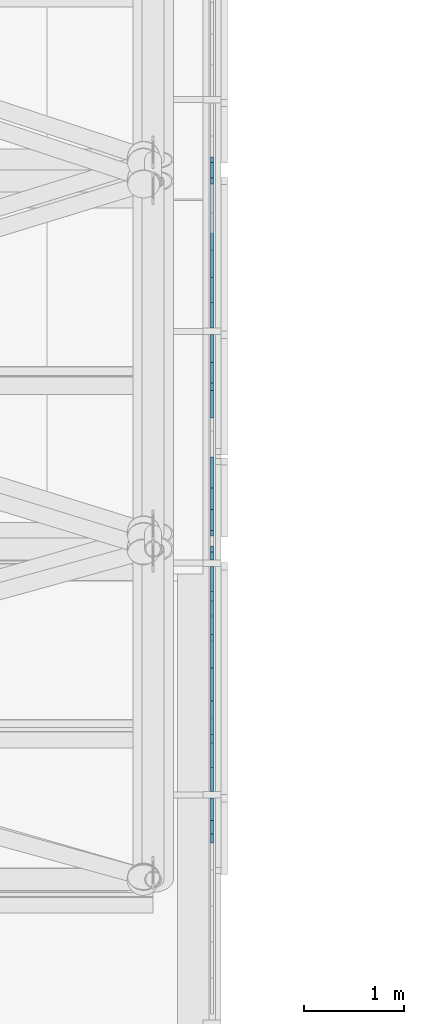
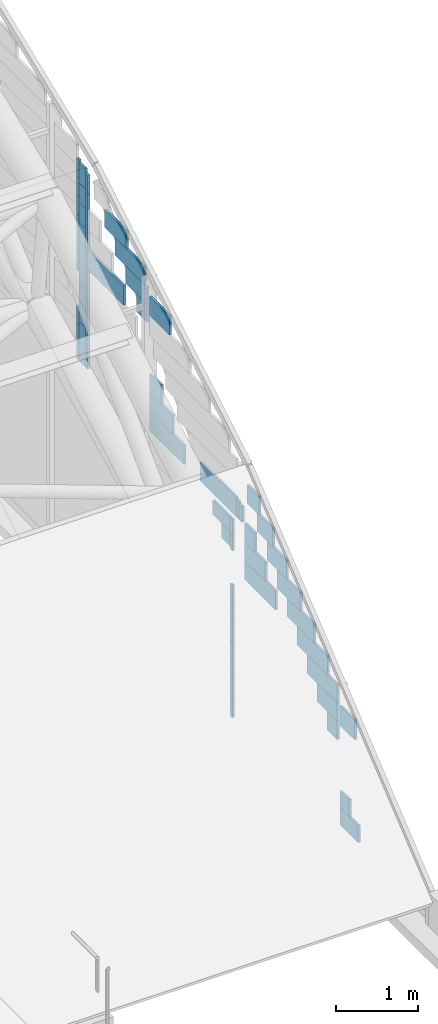
# One storey, part 76 of 110: 67 plates, 1 element without a shape of its own.
"""IFC4 building model written with IfcOpenShell, lengths in metres."""

from ifc_helpers import new_model, si_unit, direction, frame, origin, place, context, subcontext, project, spatial, polyline, outline, extrude, material, layer, layer_set, type_object, element, aggregate, save


model = new_model("IFC4")

# Units and contexts
model_context = context("Model", 3, precision=1e-05, world=origin(), true_north=direction((0.0, 1.0)))
body_context = subcontext(model_context, "Body", "Model", "MODEL_VIEW")
ifc_project = project(units=[si_unit("LENGTHUNIT", "METRE"), si_unit("AREAUNIT", "SQUARE_METRE"), si_unit("VOLUMEUNIT", "CUBIC_METRE"), si_unit("PLANEANGLEUNIT", "RADIAN"), si_unit("MASSUNIT", "GRAM", prefix="KILO")], contexts=[model_context])

# Site, building, storey
site_placement = place(None, origin())
site = spatial("IfcSite", under=ifc_project, at=site_placement, CompositionType="ELEMENT")
building_placement = place(site_placement, origin())
building = spatial("IfcBuilding", under=site, at=building_placement, Name="Windward Yard Aquatics Centre", CompositionType="ELEMENT")
storey_placement = place(building_placement, frame((0.0, 0.0, 22.60009765625)))
storey = spatial("IfcBuildingStorey", under=building, at=storey_placement, Name="L05", CompositionType="ELEMENT", Elevation=22.60009765625)

# Curtain wall, plates
ifc_material_1 = material(Name="Glass and aluminium curtain wall", Category="aluminium")
ifc_layer_1 = layer(ifc_material_1, 0.179931640625)
ifc_layer_set_1 = layer_set([ifc_layer_1], Name="H gable glazing system double glazed 8+16+8")
curtain_wall_type = type_object("IfcCurtainWallType", Name="H gable glazing system double glazed 8+16+8", PredefinedType="NOTDEFINED", material=ifc_layer_set_1)
curtain_wall_placement = place(storey_placement, origin())
curtain_wall = element("IfcCurtainWall", 1, at=curtain_wall_placement, inside=storey, type_object=curtain_wall_type, Name="Gable glazing E", PredefinedType="NOTDEFINED")
ifc_material_2 = material(Name="Low-iron glass", Category="glass")
ifc_layer_2 = layer(ifc_material_2, 0.008, Name="Outer pane")
ifc_material_3 = material(Name="Argon-filled cavity")
ifc_layer_3 = layer(ifc_material_3, 0.016, Name="Cavity")
ifc_layer_4 = layer(ifc_material_2, 0.008, Name="Inner pane")
ifc_layer_set_2 = layer_set([ifc_layer_2, ifc_layer_3, ifc_layer_4], Name="H gable glass low-e double glazed unit 32")
plate_type = type_object("IfcPlateType", Name="H gable glass low-e double glazed unit 32", PredefinedType="CURTAIN_PANEL", material=ifc_layer_set_2)
plate_1_placement = place(storey_placement, frame((144.60595703125, 42.0537109375, 1.5771484375), z_axis=(1.0, 0.0, 0.0), x_axis=(0.0, 1.0, 0.0)))
plate_1 = element("IfcPlate", 2, at=plate_1_placement, type_object=plate_type, Name="Gable panel 1.1f", PredefinedType="CURTAIN_PANEL", context=body_context, shape_type="SweptSolid", body=[
    extrude(outline(polyline([(0.0, 0.0), (0.359863, 0.0), (0.359863, 0.295166), (0.0, 0.295166), (0.0, 0.0)])), origin(), (0.0, 0.0, -1.0), 0.031982421875),
])
plate_2_placement = place(storey_placement, frame((144.60595703125, 41.966064453125, 0.099853515625), z_axis=(1.0, 0.0, 0.0), x_axis=(0.0, 1.0, 0.0)))
plate_2 = element("IfcPlate", 3, at=plate_2_placement, type_object=plate_type, Name="Gable panel 1.1g", PredefinedType="CURTAIN_PANEL", context=body_context, shape_type="SweptSolid", body=[
    extrude(outline(polyline([(0.0, 0.0), (0.44751, 0.0), (0.44751, 0.251221), (0.0, 0.251221), (0.0, 0.0)])), origin(), (0.0, 0.0, -1.0), 0.031982421875),
])
plate_3_placement = place(storey_placement, frame((144.60595703125, 42.189697265625, 0.3515625), z_axis=(1.0, 0.0, 0.0), x_axis=(0.0, 1.0, 0.0)))
plate_3 = element("IfcPlate", 4, at=plate_3_placement, type_object=plate_type, Name="Gable panel 1.1h", PredefinedType="CURTAIN_PANEL", context=body_context, shape_type="SweptSolid", body=[
    extrude(outline(polyline([(0.0, 0.0), (0.223877, 0.0), (0.223877, 0.250977), (0.0, 0.250977), (0.0, 0.0)])), origin(), (0.0, 0.0, -1.0), 0.031982421875),
])
plate_4_placement = place(storey_placement, frame((144.60595703125, 43.985107421875, 2.341064453125), z_axis=(1.0, 0.0, 0.0), x_axis=(0.0, 1.0, 0.0)))
plate_4 = element("IfcPlate", 5, at=plate_4_placement, type_object=plate_type, Name="Gable panel 2.1i", PredefinedType="CURTAIN_PANEL", context=body_context, shape_type="SweptSolid", body=[
    extrude(outline(polyline([(0.0, 0.0), (0.747803, 0.0), (0.747803, 0.279541), (0.0, 0.279541), (0.0, 0.0)])), origin(), (0.0, 0.0, -1.0), 0.031982421875),
])
plate_5_placement = place(storey_placement, frame((144.60595703125, 44.234375, 2.62109375), z_axis=(1.0, 0.0, 0.0), x_axis=(0.0, 1.0, 0.0)))
plate_5 = element("IfcPlate", 6, at=plate_5_placement, type_object=plate_type, Name="Gable panel 2.1j", PredefinedType="CURTAIN_PANEL", context=body_context, shape_type="SweptSolid", body=[
    extrude(outline(polyline([(0.0, 0.0), (0.498535, 0.0), (0.498535, 0.279785), (0.0, 0.279785), (0.0, 0.0)])), origin(), (0.0, 0.0, -1.0), 0.031982421875),
])
plate_6_placement = place(storey_placement, frame((144.60595703125, 44.4833984375, 2.901123046875), z_axis=(1.0, 0.0, 0.0), x_axis=(0.0, 1.0, 0.0)))
plate_6 = element("IfcPlate", 7, at=plate_6_placement, type_object=plate_type, Name="Gable panel 2.1k", PredefinedType="CURTAIN_PANEL", context=body_context, shape_type="SweptSolid", body=[
    extrude(outline(polyline([(0.0, 0.0), (0.249512, 0.0), (0.249512, 0.279785), (0.0, 0.279785), (0.0, 0.0)])), origin(), (0.0, 0.0, -1.0), 0.031982421875),
])
plate_7_placement = place(storey_placement, frame((144.60595703125, 42.478515625, 1.322021484375), z_axis=(1.0, 0.0, 0.0), x_axis=(0.0, 1.0, 0.0)))
plate_7 = element("IfcPlate", 8, at=plate_7_placement, type_object=plate_type, Name="Gable panel 2.1l", PredefinedType="CURTAIN_PANEL", context=body_context, shape_type="SweptSolid", body=[
    extrude(outline(polyline([(0.0, 0.0), (0.244141, 0.0), (0.244141, 0.273438), (0.0, 0.273438), (0.0, 0.0)])), origin(), (0.0, 0.0, -1.0), 0.031982421875),
])
plate_8_placement = place(storey_placement, frame((144.60595703125, 42.478515625, 1.595947265625), z_axis=(1.0, 0.0, 0.0), x_axis=(0.0, 1.0, 0.0)))
plate_8 = element("IfcPlate", 9, at=plate_8_placement, type_object=plate_type, Name="Gable panel 2.1m", PredefinedType="CURTAIN_PANEL", context=body_context, shape_type="SweptSolid", body=[
    extrude(outline(polyline([(0.0, 0.0), (0.487793, 0.0), (0.487793, 0.273682), (0.0, 0.273682), (0.0, 0.0)])), origin(), (0.0, 0.0, -1.0), 0.031982421875),
])
plate_9_placement = place(storey_placement, frame((144.60595703125, 42.478515625, 1.869873046875), z_axis=(1.0, 0.0, 0.0), x_axis=(0.0, 1.0, 0.0)))
plate_9 = element("IfcPlate", 10, at=plate_9_placement, type_object=plate_type, Name="Gable panel 2.1n", PredefinedType="CURTAIN_PANEL", context=body_context, shape_type="SweptSolid", body=[
    extrude(outline(polyline([(0.0, 0.0), (0.731689, 0.0), (0.731689, 0.273682), (0.0, 0.273682), (0.0, 0.0)])), origin(), (0.0, 0.0, -1.0), 0.031982421875),
])
plate_10_placement = place(storey_placement, frame((144.60595703125, 42.7177734375, 2.14404296875), z_axis=(1.0, 0.0, 0.0), x_axis=(0.0, 1.0, 0.0)))
plate_10 = element("IfcPlate", 11, at=plate_10_placement, type_object=plate_type, Name="Gable panel 2.1o", PredefinedType="CURTAIN_PANEL", context=body_context, shape_type="SweptSolid", body=[
    extrude(outline(polyline([(0.0, 0.0), (0.736084, 0.0), (0.736084, 0.273438), (0.0, 0.273438), (0.0, 0.0)])), origin(), (0.0, 0.0, -1.0), 0.031982421875),
])
plate_11_placement = place(storey_placement, frame((144.60595703125, 43.05126953125, 2.41796875), z_axis=(1.0, 0.0, 0.0), x_axis=(0.0, 1.0, 0.0)))
plate_11 = element("IfcPlate", 12, at=plate_11_placement, type_object=plate_type, Name="Gable panel 2.1p", PredefinedType="CURTAIN_PANEL", context=body_context, shape_type="SweptSolid", body=[
    extrude(outline(polyline([(0.0, 0.0), (0.64624, 0.0), (0.64624, 0.273682), (0.0, 0.273682), (0.0, 0.0)])), origin(), (0.0, 0.0, -1.0), 0.031982421875),
])
plate_12_placement = place(storey_placement, frame((144.60595703125, 43.385009765625, 2.69189453125), z_axis=(1.0, 0.0, 0.0), x_axis=(0.0, 1.0, 0.0)))
plate_12 = element("IfcPlate", 13, at=plate_12_placement, type_object=plate_type, Name="Gable panel 2.1q", PredefinedType="CURTAIN_PANEL", context=body_context, shape_type="SweptSolid", body=[
    extrude(outline(polyline([(0.0, 0.0), (0.556396, 0.0), (0.556396, 0.273682), (0.0, 0.273682), (0.0, 0.0)])), origin(), (0.0, 0.0, -1.0), 0.031982421875),
])
plate_13_placement = place(storey_placement, frame((144.60595703125, 43.718505859375, 2.966064453125), z_axis=(1.0, 0.0, 0.0), x_axis=(0.0, 1.0, 0.0)))
plate_13 = element("IfcPlate", 14, at=plate_13_placement, type_object=plate_type, Name="Gable panel 2.1r", PredefinedType="CURTAIN_PANEL", context=body_context, shape_type="SweptSolid", body=[
    extrude(outline(polyline([(0.0, 0.0), (0.466553, 0.0), (0.466553, 0.273438), (0.0, 0.273438), (0.0, 0.0)])), origin(), (0.0, 0.0, -1.0), 0.031982421875),
])
plate_14_placement = place(storey_placement, frame((144.60595703125, 44.05224609375, 3.239990234375), z_axis=(1.0, 0.0, 0.0), x_axis=(0.0, 1.0, 0.0)))
plate_14 = element("IfcPlate", 15, at=plate_14_placement, type_object=plate_type, Name="Gable panel 2.1s", PredefinedType="CURTAIN_PANEL", context=body_context, shape_type="SweptSolid", body=[
    extrude(outline(polyline([(0.0, 0.0), (0.376709, 0.0), (0.376709, 0.273682), (0.0, 0.273682), (0.0, 0.0)])), origin(), (0.0, 0.0, -1.0), 0.031982421875),
])
plate_15_placement = place(storey_placement, frame((144.60595703125, 44.385986328125, 3.513916015625), z_axis=(1.0, 0.0, 0.0), x_axis=(0.0, 1.0, 0.0)))
plate_15 = element("IfcPlate", 16, at=plate_15_placement, type_object=plate_type, Name="Gable panel 2.1t", PredefinedType="CURTAIN_PANEL", context=body_context, shape_type="SweptSolid", body=[
    extrude(outline(polyline([(0.0, 0.0), (0.286621, 0.0), (0.286621, 0.273682), (0.0, 0.273682), (0.0, 0.0)])), origin(), (0.0, 0.0, -1.0), 0.031982421875),
])
plate_16_placement = place(storey_placement, frame((144.60595703125, 45.0361328125, 0.099853515625), z_axis=(1.0, 0.0, 0.0), x_axis=(0.0, 1.0, 0.0)))
plate_16 = element("IfcPlate", 17, at=plate_16_placement, type_object=plate_type, Name="Gable panel 3.1k", PredefinedType="CURTAIN_PANEL", context=body_context, shape_type="SweptSolid", body=[
    extrude(outline(polyline([(0.0, 0.0), (0.056885, 0.0), (0.056885, 0.280762), (0.0, 0.280762), (0.0, 0.0)])), origin(), (0.0, 0.0, -1.0), 0.031982421875),
])
plate_17_placement = place(storey_placement, frame((144.60595703125, 45.0361328125, 0.381103515625), z_axis=(1.0, 0.0, 0.0), x_axis=(0.0, 1.0, 0.0)))
plate_17 = element("IfcPlate", 18, at=plate_17_placement, type_object=plate_type, Name="Gable panel 3.1l", PredefinedType="CURTAIN_PANEL", context=body_context, shape_type="SweptSolid", body=[
    extrude(outline(polyline([(0.0, 0.0), (0.056885, 0.0), (0.056885, 0.280518), (0.0, 0.280518), (0.0, 0.0)])), origin(), (0.0, 0.0, -1.0), 0.031982421875),
])
plate_18_placement = place(storey_placement, frame((144.60595703125, 45.0361328125, 0.662109375), z_axis=(1.0, 0.0, 0.0), x_axis=(0.0, 1.0, 0.0)))
plate_18 = element("IfcPlate", 19, at=plate_18_placement, type_object=plate_type, Name="Gable panel 3.1m", PredefinedType="CURTAIN_PANEL", context=body_context, shape_type="SweptSolid", body=[
    extrude(outline(polyline([(0.0, 0.0), (0.056885, 0.0), (0.056885, 0.280518), (0.0, 0.280518), (0.0, 0.0)])), origin(), (0.0, 0.0, -1.0), 0.031982421875),
])
plate_19_placement = place(storey_placement, frame((144.60595703125, 45.0361328125, 0.943115234375), z_axis=(1.0, 0.0, 0.0), x_axis=(0.0, 1.0, 0.0)))
plate_19 = element("IfcPlate", 20, at=plate_19_placement, type_object=plate_type, Name="Gable panel 3.1n", PredefinedType="CURTAIN_PANEL", context=body_context, shape_type="SweptSolid", body=[
    extrude(outline(polyline([(0.0, 0.0), (0.056885, 0.0), (0.056885, 0.280518), (0.0, 0.280518), (0.0, 0.0)])), origin(), (0.0, 0.0, -1.0), 0.031982421875),
])
plate_20_placement = place(storey_placement, frame((144.60595703125, 45.0361328125, 1.22412109375), z_axis=(1.0, 0.0, 0.0), x_axis=(0.0, 1.0, 0.0)))
plate_20 = element("IfcPlate", 21, at=plate_20_placement, type_object=plate_type, Name="Gable panel 3.1o", PredefinedType="CURTAIN_PANEL", context=body_context, shape_type="SweptSolid", body=[
    extrude(outline(polyline([(0.0, 0.0), (0.056885, 0.0), (0.056885, 0.280518), (0.0, 0.280518), (0.0, 0.0)])), origin(), (0.0, 0.0, -1.0), 0.031982421875),
])
plate_21_placement = place(storey_placement, frame((144.60595703125, 45.0361328125, 1.5048828125), z_axis=(1.0, 0.0, 0.0), x_axis=(0.0, 1.0, 0.0)))
plate_21 = element("IfcPlate", 22, at=plate_21_placement, type_object=plate_type, Name="Gable panel 3.1p", PredefinedType="CURTAIN_PANEL", context=body_context, shape_type="SweptSolid", body=[
    extrude(outline(polyline([(0.0, 0.0), (0.056885, 0.0), (0.056885, 0.280762), (0.0, 0.280762), (0.0, 0.0)])), origin(), (0.0, 0.0, -1.0), 0.031982421875),
])
plate_22_placement = place(storey_placement, frame((144.60595703125, 45.0361328125, 1.785888671875), z_axis=(1.0, 0.0, 0.0), x_axis=(0.0, 1.0, 0.0)))
plate_22 = element("IfcPlate", 23, at=plate_22_placement, type_object=plate_type, Name="Gable panel 3.1q", PredefinedType="CURTAIN_PANEL", context=body_context, shape_type="SweptSolid", body=[
    extrude(outline(polyline([(0.0, 0.0), (0.056885, 0.0), (0.056885, 0.280762), (0.0, 0.280762), (0.0, 0.0)])), origin(), (0.0, 0.0, -1.0), 0.031982421875),
])
plate_23_placement = place(storey_placement, frame((144.60595703125, 45.0361328125, 2.58203125), z_axis=(1.0, 0.0, 0.0), x_axis=(0.0, 1.0, 0.0)))
plate_23 = element("IfcPlate", 24, at=plate_23_placement, type_object=plate_type, Name="Gable panel 3.1s", PredefinedType="CURTAIN_PANEL", context=body_context, shape_type="SweptSolid", body=[
    extrude(outline(polyline([(0.0, 0.0), (0.056885, 0.0), (0.056885, 0.233643), (0.0, 0.233643), (0.0, 0.0)])), origin(), (0.0, 0.0, -1.0), 0.031982421875),
])
plate_24_placement = place(storey_placement, frame((144.60595703125, 45.0361328125, 2.81591796875), z_axis=(1.0, 0.0, 0.0), x_axis=(0.0, 1.0, 0.0)))
plate_24 = element("IfcPlate", 25, at=plate_24_placement, type_object=plate_type, Name="Gable panel 3.1t", PredefinedType="CURTAIN_PANEL", context=body_context, shape_type="SweptSolid", body=[
    extrude(outline(polyline([(0.0, 0.0), (0.056885, 0.0), (0.056885, 0.233887), (0.0, 0.233887), (0.0, 0.0)])), origin(), (0.0, 0.0, -1.0), 0.031982421875),
])
plate_25_placement = place(storey_placement, frame((144.60595703125, 45.093017578125, 2.62060546875), z_axis=(1.0, 0.0, 0.0), x_axis=(0.0, 1.0, 0.0)))
plate_25 = element("IfcPlate", 26, at=plate_25_placement, type_object=plate_type, Name="Gable panel 3.1u", PredefinedType="CURTAIN_PANEL", context=body_context, shape_type="SweptSolid", body=[
    extrude(outline(polyline([(0.0, 0.0), (0.21167, 0.0), (0.21167, 0.214355), (0.0, 0.214355), (0.0, 0.0)])), origin(), (0.0, 0.0, -1.0), 0.031982421875),
])
plate_26_placement = place(storey_placement, frame((144.60595703125, 45.093017578125, 2.83544921875), z_axis=(1.0, 0.0, 0.0), x_axis=(0.0, 1.0, 0.0)))
plate_26 = element("IfcPlate", 27, at=plate_26_placement, type_object=plate_type, Name="Gable panel 3.1v", PredefinedType="CURTAIN_PANEL", context=body_context, shape_type="SweptSolid", body=[
    extrude(outline(polyline([(0.0, 0.0), (0.42334, 0.0), (0.42334, 0.214355), (0.0, 0.214355), (0.0, 0.0)])), origin(), (0.0, 0.0, -1.0), 0.031982421875),
])
plate_27_placement = place(storey_placement, frame((144.60595703125, 44.7978515625, 3.14990234375), z_axis=(1.0, 0.0, 0.0), x_axis=(0.0, 1.0, 0.0)))
plate_27 = element("IfcPlate", 28, at=plate_27_placement, type_object=plate_type, Name="Gable panel 3.2a", PredefinedType="CURTAIN_PANEL", context=body_context, shape_type="SweptSolid", body=[
    extrude(outline(polyline([(0.0, 0.0), (0.079834, 0.0), (0.079834, 0.236816), (0.0, 0.236816), (0.0, 0.0)])), origin(), (0.0, 0.0, -1.0), 0.031982421875),
])
plate_28_placement = place(storey_placement, frame((144.60595703125, 44.877685546875, 3.14990234375), z_axis=(1.0, 0.0, 0.0), x_axis=(0.0, 1.0, 0.0)))
plate_28 = element("IfcPlate", 29, at=plate_28_placement, type_object=plate_type, Name="Gable panel 3.2b", PredefinedType="CURTAIN_PANEL", context=body_context, shape_type="SweptSolid", body=[
    extrude(outline(polyline([(0.0, 0.0), (0.059814, 0.0), (0.059814, 0.258057), (0.0, 0.258057), (0.0, 0.0)])), origin(), (0.0, 0.0, -1.0), 0.031982421875),
])
plate_29_placement = place(storey_placement, frame((144.60595703125, 44.9375, 3.14990234375), z_axis=(1.0, 0.0, 0.0), x_axis=(0.0, 1.0, 0.0)))
plate_29 = element("IfcPlate", 30, at=plate_29_placement, type_object=plate_type, Name="Gable panel 3.2c", PredefinedType="CURTAIN_PANEL", context=body_context, shape_type="SweptSolid", body=[
    extrude(outline(polyline([(0.0, 0.0), (0.888428, 0.0), (0.888428, 0.285645), (0.0, 0.285645), (0.0, 0.0)])), origin(), (0.0, 0.0, -1.0), 0.031982421875),
])
plate_30_placement = place(storey_placement, frame((144.60595703125, 46.569580078125, 4.864990234375), z_axis=(1.0, 0.0, 0.0), x_axis=(0.0, 1.0, 0.0)))
plate_30 = element("IfcPlate", 31, at=plate_30_placement, type_object=plate_type, Name="Gable panel 3.2i", PredefinedType="CURTAIN_PANEL", context=body_context, shape_type="SweptSolid", body=[
    extrude(outline(polyline([(0.0, 0.0), (0.482422, 0.0), (0.482422, 0.2854), (0.0, 0.2854), (0.0, 0.0)])), origin(), (0.0, 0.0, -1.0), 0.031982421875),
])
plate_31_placement = place(storey_placement, frame((144.60595703125, 46.216552734375, 3.14990234375), z_axis=(1.0, 0.0, 0.0), x_axis=(0.0, 1.0, 0.0)))
plate_31 = element("IfcPlate", 32, at=plate_31_placement, type_object=plate_type, Name="Gable panel 3.2j", PredefinedType="CURTAIN_PANEL", context=body_context, shape_type="SweptSolid", body=[
    extrude(outline(polyline([(0.0, 0.0), (0.835449, 0.0), (0.835449, 0.282715), (0.0, 0.282715), (0.0, 0.0)])), origin(), (0.0, 0.0, -1.0), 0.031982421875),
])
plate_32_placement = place(storey_placement, frame((144.60595703125, 46.494873046875, 3.432861328125), z_axis=(1.0, 0.0, 0.0), x_axis=(0.0, 1.0, 0.0)))
plate_32 = element("IfcPlate", 33, at=plate_32_placement, type_object=plate_type, Name="Gable panel 3.2k", PredefinedType="CURTAIN_PANEL", context=body_context, shape_type="SweptSolid", body=[
    extrude(outline(polyline([(0.0, 0.0), (0.557129, 0.0), (0.557129, 0.282471), (0.0, 0.282471), (0.0, 0.0)])), origin(), (0.0, 0.0, -1.0), 0.031982421875),
])
plate_33_placement = place(storey_placement, frame((144.60595703125, 46.7734375, 3.7158203125), z_axis=(1.0, 0.0, 0.0), x_axis=(0.0, 1.0, 0.0)))
plate_33 = element("IfcPlate", 34, at=plate_33_placement, type_object=plate_type, Name="Gable panel 3.2l", PredefinedType="CURTAIN_PANEL", context=body_context, shape_type="SweptSolid", body=[
    extrude(outline(polyline([(0.0, 0.0), (0.278564, 0.0), (0.278564, 0.282227), (0.0, 0.282227), (0.0, 0.0)])), origin(), (0.0, 0.0, -1.0), 0.031982421875),
])
plate_34_placement = place(storey_placement, frame((144.60595703125, 48.7763671875, 3.14990234375), z_axis=(1.0, 0.0, 0.0), x_axis=(0.0, 1.0, 0.0)))
plate_34 = element("IfcPlate", 35, at=plate_34_placement, type_object=plate_type, Name="Gable panel 4.2e", PredefinedType="CURTAIN_PANEL", context=body_context, shape_type="SweptSolid", body=[
    extrude(outline(polyline([(0.0, 0.0), (0.052979, 0.0), (0.052979, 0.261475), (0.0, 0.261475), (0.0, 0.0)])), origin(), (0.0, 0.0, -1.0), 0.031982421875),
])
plate_35_placement = place(storey_placement, frame((144.60595703125, 48.7763671875, 3.41162109375), z_axis=(1.0, 0.0, 0.0), x_axis=(0.0, 1.0, 0.0)))
plate_35 = element("IfcPlate", 36, at=plate_35_placement, type_object=plate_type, Name="Gable panel 4.2f", PredefinedType="CURTAIN_PANEL", context=body_context, shape_type="SweptSolid", body=[
    extrude(outline(polyline([(0.0, 0.0), (0.052979, 0.0), (0.052979, 0.261475), (0.0, 0.261475), (0.0, 0.0)])), origin(), (0.0, 0.0, -1.0), 0.031982421875),
])
plate_36_placement = place(storey_placement, frame((144.60595703125, 48.7763671875, 3.67333984375), z_axis=(1.0, 0.0, 0.0), x_axis=(0.0, 1.0, 0.0)))
plate_36 = element("IfcPlate", 37, at=plate_36_placement, type_object=plate_type, Name="Gable panel 4.2g", PredefinedType="CURTAIN_PANEL", context=body_context, shape_type="SweptSolid", body=[
    extrude(outline(polyline([(0.0, 0.0), (0.052979, 0.0), (0.052979, 0.26123), (0.0, 0.26123), (0.0, 0.0)])), origin(), (0.0, 0.0, -1.0), 0.031982421875),
])
plate_37_placement = place(storey_placement, frame((144.60595703125, 48.618896484375, 3.14990234375), z_axis=(1.0, 0.0, 0.0), x_axis=(0.0, 1.0, 0.0)))
plate_37 = element("IfcPlate", 38, at=plate_37_placement, type_object=plate_type, Name="Gable panel 4.2h", PredefinedType="CURTAIN_PANEL", context=body_context, shape_type="SweptSolid", body=[
    extrude(outline(polyline([(0.0, 0.0), (0.157471, 0.0), (0.157471, 0.294434), (0.0, 0.294434), (0.0, 0.0)])), origin(), (0.0, 0.0, -1.0), 0.031982421875),
])
plate_38_placement = place(storey_placement, frame((144.60595703125, 48.618896484375, 3.444580078125), z_axis=(1.0, 0.0, 0.0), x_axis=(0.0, 1.0, 0.0)))
plate_38 = element("IfcPlate", 39, at=plate_38_placement, type_object=plate_type, Name="Gable panel 4.2i", PredefinedType="CURTAIN_PANEL", context=body_context, shape_type="SweptSolid", body=[
    extrude(outline(polyline([(0.0, 0.0), (0.157471, 0.0), (0.157471, 0.294189), (0.0, 0.294189), (0.0, 0.0)])), origin(), (0.0, 0.0, -1.0), 0.031982421875),
])
plate_39_placement = place(storey_placement, frame((144.60595703125, 48.618896484375, 3.7392578125), z_axis=(1.0, 0.0, 0.0), x_axis=(0.0, 1.0, 0.0)))
plate_39 = element("IfcPlate", 40, at=plate_39_placement, type_object=plate_type, Name="Gable panel 4.2j", PredefinedType="CURTAIN_PANEL", context=body_context, shape_type="SweptSolid", body=[
    extrude(outline(polyline([(0.0, 0.0), (0.157471, 0.0), (0.157471, 0.294189), (0.0, 0.294189), (0.0, 0.0)])), origin(), (0.0, 0.0, -1.0), 0.031982421875),
])
plate_40_placement = place(storey_placement, frame((144.60595703125, 48.618896484375, 4.03369140625), z_axis=(1.0, 0.0, 0.0), x_axis=(0.0, 1.0, 0.0)))
plate_40 = element("IfcPlate", 41, at=plate_40_placement, type_object=plate_type, Name="Gable panel 4.2k", PredefinedType="CURTAIN_PANEL", context=body_context, shape_type="SweptSolid", body=[
    extrude(outline(polyline([(0.0, 0.0), (0.157471, 0.0), (0.157471, 0.294189), (0.0, 0.294189), (0.0, 0.0)])), origin(), (0.0, 0.0, -1.0), 0.031982421875),
])
plate_41_placement = place(storey_placement, frame((144.60595703125, 48.618896484375, 4.328369140625), z_axis=(1.0, 0.0, 0.0), x_axis=(0.0, 1.0, 0.0)))
plate_41 = element("IfcPlate", 42, at=plate_41_placement, type_object=plate_type, Name="Gable panel 4.2l", PredefinedType="CURTAIN_PANEL", context=body_context, shape_type="SweptSolid", body=[
    extrude(outline(polyline([(0.0, 0.0), (0.157471, 0.0), (0.157471, 0.294189), (0.0, 0.294189), (0.0, 0.0)])), origin(), (0.0, 0.0, -1.0), 0.031982421875),
])
plate_42_placement = place(storey_placement, frame((144.60595703125, 48.618896484375, 4.622802734375), z_axis=(1.0, 0.0, 0.0), x_axis=(0.0, 1.0, 0.0)))
plate_42 = element("IfcPlate", 43, at=plate_42_placement, type_object=plate_type, Name="Gable panel 4.2m", PredefinedType="CURTAIN_PANEL", context=body_context, shape_type="SweptSolid", body=[
    extrude(outline(polyline([(0.0, 0.0), (0.157471, 0.0), (0.157471, 0.294189), (0.0, 0.294189), (0.0, 0.0)])), origin(), (0.0, 0.0, -1.0), 0.031982421875),
])
plate_43_placement = place(storey_placement, frame((144.60595703125, 48.618896484375, 4.91748046875), z_axis=(1.0, 0.0, 0.0), x_axis=(0.0, 1.0, 0.0)))
plate_43 = element("IfcPlate", 44, at=plate_43_placement, type_object=plate_type, Name="Gable panel 4.2n", PredefinedType="CURTAIN_PANEL", context=body_context, shape_type="SweptSolid", body=[
    extrude(outline(polyline([(0.0, 0.0), (0.157471, 0.0), (0.157471, 0.294189), (0.0, 0.294189), (0.0, 0.0)])), origin(), (0.0, 0.0, -1.0), 0.031982421875),
])
plate_44_placement = place(storey_placement, frame((144.60595703125, 48.618896484375, 5.212158203125), z_axis=(1.0, 0.0, 0.0), x_axis=(0.0, 1.0, 0.0)))
plate_44 = element("IfcPlate", 45, at=plate_44_placement, type_object=plate_type, Name="Gable panel 4.2o", PredefinedType="CURTAIN_PANEL", context=body_context, shape_type="SweptSolid", body=[
    extrude(outline(polyline([(0.0, 0.0), (0.157471, 0.0), (0.157471, 0.293945), (0.0, 0.293945), (0.0, 0.0)])), origin(), (0.0, 0.0, -1.0), 0.031982421875),
])
plate_45_placement = place(storey_placement, frame((144.60595703125, 48.618896484375, 5.506591796875), z_axis=(1.0, 0.0, 0.0), x_axis=(0.0, 1.0, 0.0)))
plate_45 = element("IfcPlate", 46, at=plate_45_placement, type_object=plate_type, Name="Gable panel 4.2p", PredefinedType="CURTAIN_PANEL", context=body_context, shape_type="SweptSolid", body=[
    extrude(outline(polyline([(0.0, 0.0), (0.157471, 0.0), (0.157471, 0.294189), (0.0, 0.294189), (0.0, 0.0)])), origin(), (0.0, 0.0, -1.0), 0.031982421875),
])
plate_46_placement = place(storey_placement, frame((144.60595703125, 48.618896484375, 5.80126953125), z_axis=(1.0, 0.0, 0.0), x_axis=(0.0, 1.0, 0.0)))
plate_46 = element("IfcPlate", 47, at=plate_46_placement, type_object=plate_type, Name="Gable panel 4.2q", PredefinedType="CURTAIN_PANEL", context=body_context, shape_type="SweptSolid", body=[
    extrude(outline(polyline([(0.0, 0.0), (0.157471, 0.0), (0.157471, 0.293945), (0.0, 0.293945), (0.0, 0.0)])), origin(), (0.0, 0.0, -1.0), 0.031982421875),
])
plate_47_placement = place(storey_placement, frame((144.60595703125, 48.7763671875, 4.4736328125), z_axis=(1.0, 0.0, 0.0), x_axis=(0.0, 1.0, 0.0)))
plate_47 = element("IfcPlate", 48, at=plate_47_placement, type_object=plate_type, Name="Gable panel 4.2r", PredefinedType="CURTAIN_PANEL", context=body_context, shape_type="SweptSolid", body=[
    extrude(outline(polyline([(0.0, 0.0), (0.052979, 0.0), (0.052979, 0.276367), (0.0, 0.276367), (0.0, 0.0)])), origin(), (0.0, 0.0, -1.0), 0.031982421875),
])
plate_48_placement = place(storey_placement, frame((144.60595703125, 48.7763671875, 4.75048828125), z_axis=(1.0, 0.0, 0.0), x_axis=(0.0, 1.0, 0.0)))
plate_48 = element("IfcPlate", 49, at=plate_48_placement, type_object=plate_type, Name="Gable panel 4.2s", PredefinedType="CURTAIN_PANEL", context=body_context, shape_type="SweptSolid", body=[
    extrude(outline(polyline([(0.0, 0.0), (0.052979, 0.0), (0.052979, 0.276367), (0.0, 0.276367), (0.0, 0.0)])), origin(), (0.0, 0.0, -1.0), 0.031982421875),
])
plate_49_placement = place(storey_placement, frame((144.60595703125, 48.7763671875, 5.02734375), z_axis=(1.0, 0.0, 0.0), x_axis=(0.0, 1.0, 0.0)))
plate_49 = element("IfcPlate", 50, at=plate_49_placement, type_object=plate_type, Name="Gable panel 4.2t", PredefinedType="CURTAIN_PANEL", context=body_context, shape_type="SweptSolid", body=[
    extrude(outline(polyline([(0.0, 0.0), (0.052979, 0.0), (0.052979, 0.276367), (0.0, 0.276367), (0.0, 0.0)])), origin(), (0.0, 0.0, -1.0), 0.031982421875),
])
plate_50_placement = place(storey_placement, frame((144.60595703125, 48.7763671875, 5.30419921875), z_axis=(1.0, 0.0, 0.0), x_axis=(0.0, 1.0, 0.0)))
plate_50 = element("IfcPlate", 51, at=plate_50_placement, type_object=plate_type, Name="Gable panel 4.2u", PredefinedType="CURTAIN_PANEL", context=body_context, shape_type="SweptSolid", body=[
    extrude(outline(polyline([(0.0, 0.0), (0.052979, 0.0), (0.052979, 0.276367), (0.0, 0.276367), (0.0, 0.0)])), origin(), (0.0, 0.0, -1.0), 0.031982421875),
])
plate_51_placement = place(storey_placement, frame((144.60595703125, 48.7763671875, 5.5810546875), z_axis=(1.0, 0.0, 0.0), x_axis=(0.0, 1.0, 0.0)))
plate_51 = element("IfcPlate", 52, at=plate_51_placement, type_object=plate_type, Name="Gable panel 4.2v", PredefinedType="CURTAIN_PANEL", context=body_context, shape_type="SweptSolid", body=[
    extrude(outline(polyline([(0.0, 0.0), (0.052979, 0.0), (0.052979, 0.276367), (0.0, 0.276367), (0.0, 0.0)])), origin(), (0.0, 0.0, -1.0), 0.031982421875),
])
plate_52_placement = place(storey_placement, frame((144.60595703125, 48.7763671875, 5.85791015625), z_axis=(1.0, 0.0, 0.0), x_axis=(0.0, 1.0, 0.0)))
plate_52 = element("IfcPlate", 53, at=plate_52_placement, type_object=plate_type, Name="Gable panel 4.2w", PredefinedType="CURTAIN_PANEL", context=body_context, shape_type="SweptSolid", body=[
    extrude(outline(polyline([(0.0, 0.0), (0.052979, 0.0), (0.052979, 0.276367), (0.0, 0.276367), (0.0, 0.0)])), origin(), (0.0, 0.0, -1.0), 0.031982421875),
])
plate_53_placement = place(storey_placement, frame((144.60595703125, 48.561767578125, 3.14990234375), z_axis=(1.0, 0.0, 0.0), x_axis=(0.0, 1.0, 0.0)))
plate_53 = element("IfcPlate", 54, at=plate_53_placement, type_object=plate_type, Name="Gable panel 4.2ad", PredefinedType="CURTAIN_PANEL", context=body_context, shape_type="SweptSolid", body=[
    extrude(outline(polyline([(0.0, 0.0), (0.057129, 0.0), (0.057129, 0.288574), (0.0, 0.288574), (0.0, 0.0)])), origin(), (0.0, 0.0, -1.0), 0.031982421875),
])
plate_54_placement = place(storey_placement, frame((144.60595703125, 48.561767578125, 3.43896484375), z_axis=(1.0, 0.0, 0.0), x_axis=(0.0, 1.0, 0.0)))
plate_54 = element("IfcPlate", 55, at=plate_54_placement, type_object=plate_type, Name="Gable panel 4.2ae", PredefinedType="CURTAIN_PANEL", context=body_context, shape_type="SweptSolid", body=[
    extrude(outline(polyline([(0.0, 0.0), (0.057129, 0.0), (0.057129, 0.28833), (0.0, 0.28833), (0.0, 0.0)])), origin(), (0.0, 0.0, -1.0), 0.031982421875),
])
plate_55_placement = place(storey_placement, frame((144.60595703125, 48.561767578125, 3.727783203125), z_axis=(1.0, 0.0, 0.0), x_axis=(0.0, 1.0, 0.0)))
plate_55 = element("IfcPlate", 56, at=plate_55_placement, type_object=plate_type, Name="Gable panel 4.2af", PredefinedType="CURTAIN_PANEL", context=body_context, shape_type="SweptSolid", body=[
    extrude(outline(polyline([(0.0, 0.0), (0.057129, 0.0), (0.057129, 0.28833), (0.0, 0.28833), (0.0, 0.0)])), origin(), (0.0, 0.0, -1.0), 0.031982421875),
])
plate_56_placement = place(storey_placement, frame((144.60595703125, 48.561767578125, 4.0166015625), z_axis=(1.0, 0.0, 0.0), x_axis=(0.0, 1.0, 0.0)))
plate_56 = element("IfcPlate", 57, at=plate_56_placement, type_object=plate_type, Name="Gable panel 4.2ag", PredefinedType="CURTAIN_PANEL", context=body_context, shape_type="SweptSolid", body=[
    extrude(outline(polyline([(0.0, 0.0), (0.057129, 0.0), (0.057129, 0.28833), (0.0, 0.28833), (0.0, 0.0)])), origin(), (0.0, 0.0, -1.0), 0.031982421875),
])
plate_57_placement = place(storey_placement, frame((144.60595703125, 48.561767578125, 4.305419921875), z_axis=(1.0, 0.0, 0.0), x_axis=(0.0, 1.0, 0.0)))
plate_57 = element("IfcPlate", 58, at=plate_57_placement, type_object=plate_type, Name="Gable panel 4.2ah", PredefinedType="CURTAIN_PANEL", context=body_context, shape_type="SweptSolid", body=[
    extrude(outline(polyline([(0.0, 0.0), (0.057129, 0.0), (0.057129, 0.28833), (0.0, 0.28833), (0.0, 0.0)])), origin(), (0.0, 0.0, -1.0), 0.031982421875),
])
plate_58_placement = place(storey_placement, frame((144.60595703125, 48.561767578125, 4.59423828125), z_axis=(1.0, 0.0, 0.0), x_axis=(0.0, 1.0, 0.0)))
plate_58 = element("IfcPlate", 59, at=plate_58_placement, type_object=plate_type, Name="Gable panel 4.2ai", PredefinedType="CURTAIN_PANEL", context=body_context, shape_type="SweptSolid", body=[
    extrude(outline(polyline([(0.0, 0.0), (0.057129, 0.0), (0.057129, 0.28833), (0.0, 0.28833), (0.0, 0.0)])), origin(), (0.0, 0.0, -1.0), 0.031982421875),
])
plate_59_placement = place(storey_placement, frame((144.60595703125, 48.561767578125, 4.883056640625), z_axis=(1.0, 0.0, 0.0), x_axis=(0.0, 1.0, 0.0)))
plate_59 = element("IfcPlate", 60, at=plate_59_placement, type_object=plate_type, Name="Gable panel 4.2aj", PredefinedType="CURTAIN_PANEL", context=body_context, shape_type="SweptSolid", body=[
    extrude(outline(polyline([(0.0, 0.0), (0.057129, 0.0), (0.057129, 0.28833), (0.0, 0.28833), (0.0, 0.0)])), origin(), (0.0, 0.0, -1.0), 0.031982421875),
])
plate_60_placement = place(storey_placement, frame((144.60595703125, 48.561767578125, 5.171875), z_axis=(1.0, 0.0, 0.0), x_axis=(0.0, 1.0, 0.0)))
plate_60 = element("IfcPlate", 61, at=plate_60_placement, type_object=plate_type, Name="Gable panel 4.2ak", PredefinedType="CURTAIN_PANEL", context=body_context, shape_type="SweptSolid", body=[
    extrude(outline(polyline([(0.0, 0.0), (0.057129, 0.0), (0.057129, 0.28833), (0.0, 0.28833), (0.0, 0.0)])), origin(), (0.0, 0.0, -1.0), 0.031982421875),
])
plate_61_placement = place(storey_placement, frame((144.60595703125, 48.561767578125, 5.460693359375), z_axis=(1.0, 0.0, 0.0), x_axis=(0.0, 1.0, 0.0)))
plate_61 = element("IfcPlate", 62, at=plate_61_placement, type_object=plate_type, Name="Gable panel 4.2al", PredefinedType="CURTAIN_PANEL", context=body_context, shape_type="SweptSolid", body=[
    extrude(outline(polyline([(0.0, 0.0), (0.057129, 0.0), (0.057129, 0.28833), (0.0, 0.28833), (0.0, 0.0)])), origin(), (0.0, 0.0, -1.0), 0.031982421875),
])
plate_62_placement = place(storey_placement, frame((144.60595703125, 48.561767578125, 5.74951171875), z_axis=(1.0, 0.0, 0.0), x_axis=(0.0, 1.0, 0.0)))
plate_62 = element("IfcPlate", 63, at=plate_62_placement, type_object=plate_type, Name="Gable panel 4.2am", PredefinedType="CURTAIN_PANEL", context=body_context, shape_type="SweptSolid", body=[
    extrude(outline(polyline([(0.0, 0.0), (0.057129, 0.0), (0.057129, 0.28833), (0.0, 0.28833), (0.0, 0.0)])), origin(), (0.0, 0.0, -1.0), 0.031982421875),
])
plate_63_placement = place(storey_placement, frame((144.60595703125, 47.68701171875, 4.63037109375), z_axis=(1.0, 0.0, 0.0), x_axis=(0.0, 1.0, 0.0)))
plate_63 = element("IfcPlate", 64, at=plate_63_placement, type_object=plate_type, Name="Gable panel 4.2as", PredefinedType="CURTAIN_PANEL", context=body_context, shape_type="SweptSolid", body=[
    extrude(outline(polyline([(0.0, 0.0), (0.874756, 0.0), (0.874756, 0.295654), (0.0, 0.295654), (0.0, 0.0)])), origin(), (0.0, 0.0, -1.0), 0.031982421875),
])
plate_64_placement = place(storey_placement, frame((144.60595703125, 47.1171875, 4.724609375), z_axis=(1.0, 0.0, 0.0), x_axis=(0.0, 1.0, 0.0)))
plate_64 = element("IfcPlate", 65, at=plate_64_placement, type_object=plate_type, Name="Gable panel 4.2av", PredefinedType="CURTAIN_PANEL", context=body_context, shape_type="SweptSolid", body=[
    extrude(outline(polyline([(0.0, 0.0), (0.259277, 0.0), (0.259277, 0.262939), (0.0, 0.262939), (0.0, 0.0)])), origin(), (0.0, 0.0, -1.0), 0.031982421875),
])
plate_65_placement = place(storey_placement, frame((144.60595703125, 47.1171875, 4.98779296875), z_axis=(1.0, 0.0, 0.0), x_axis=(0.0, 1.0, 0.0)))
plate_65 = element("IfcPlate", 66, at=plate_65_placement, type_object=plate_type, Name="Gable panel 4.2aw", PredefinedType="CURTAIN_PANEL", context=body_context, shape_type="SweptSolid", body=[
    extrude(outline(polyline([(0.0, 0.0), (0.518555, 0.0), (0.518555, 0.262939), (0.0, 0.262939), (0.0, 0.0)])), origin(), (0.0, 0.0, -1.0), 0.031982421875),
])
plate_66_placement = place(storey_placement, frame((144.60595703125, 47.18310546875, 5.251220703125), z_axis=(1.0, 0.0, 0.0), x_axis=(0.0, 1.0, 0.0)))
plate_66 = element("IfcPlate", 67, at=plate_66_placement, type_object=plate_type, Name="Gable panel 4.2ax", PredefinedType="CURTAIN_PANEL", context=body_context, shape_type="SweptSolid", body=[
    extrude(outline(polyline([(0.0, 0.0), (0.71167, 0.0), (0.71167, 0.262695), (0.0, 0.262695), (0.0, 0.0)])), origin(), (0.0, 0.0, -1.0), 0.031982421875),
])
plate_67_placement = place(storey_placement, frame((144.60595703125, 47.627197265625, 5.514404296875), z_axis=(1.0, 0.0, 0.0), x_axis=(0.0, 1.0, 0.0)))
plate_67 = element("IfcPlate", 68, at=plate_67_placement, type_object=plate_type, Name="Gable panel 4.2ay", PredefinedType="CURTAIN_PANEL", context=body_context, shape_type="SweptSolid", body=[
    extrude(outline(polyline([(0.0, 0.0), (0.526855, 0.0), (0.526855, 0.262695), (0.0, 0.262695), (0.0, 0.0)])), origin(), (0.0, 0.0, -1.0), 0.031982421875),
])
aggregate(curtain_wall, [plate_1, plate_2, plate_3, plate_4, plate_5, plate_6, plate_7, plate_8, plate_9, plate_10, plate_11, plate_12, plate_13, plate_14, plate_15, plate_16, plate_17, plate_18, plate_19, plate_20, plate_21, plate_22, plate_23, plate_24, plate_25, plate_26, plate_27, plate_28, plate_29, plate_30, plate_31, plate_32, plate_33, plate_34, plate_35, plate_36, plate_37, plate_38, plate_39, plate_40, plate_41, plate_42, plate_43, plate_44, plate_45, plate_46, plate_47, plate_48, plate_49, plate_50, plate_51, plate_52, plate_53, plate_54, plate_55, plate_56, plate_57, plate_58, plate_59, plate_60, plate_61, plate_62, plate_63, plate_64, plate_65, plate_66, plate_67])

save(model, "model.ifc")
